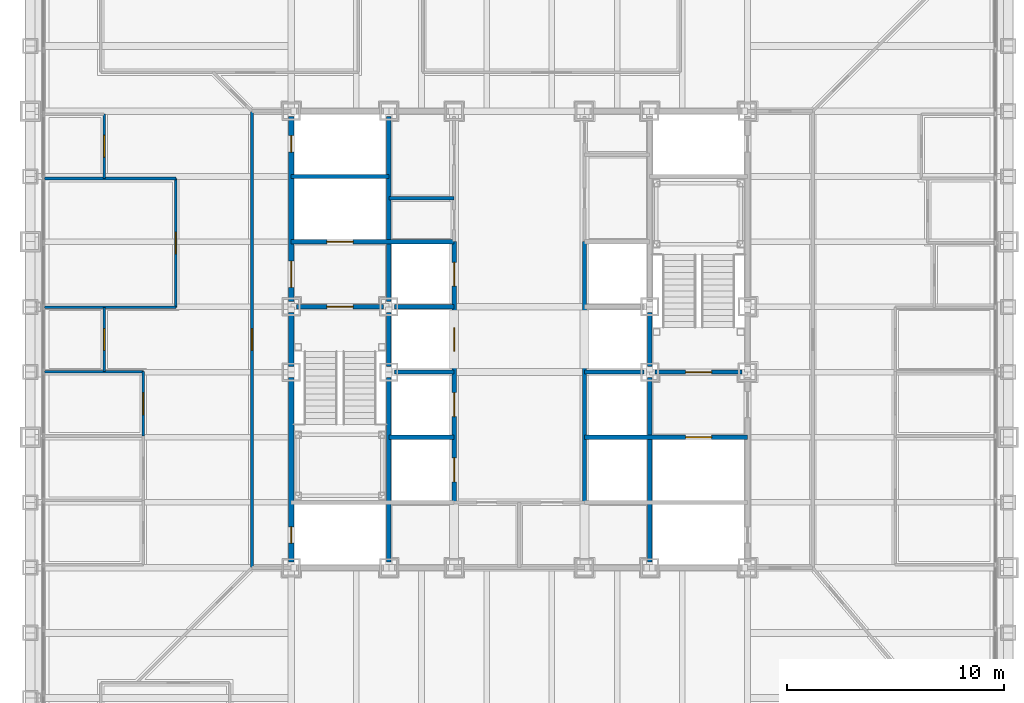
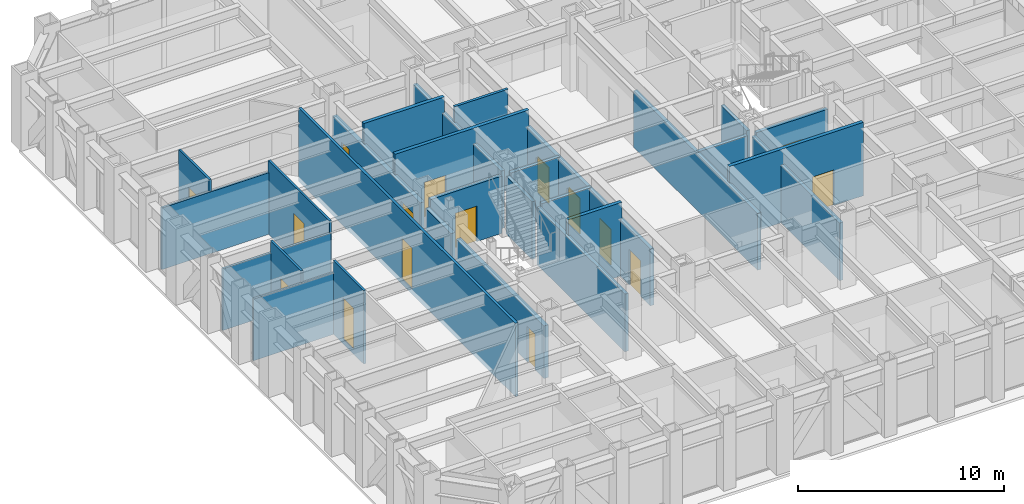
# One storey, part 9 of 16: 28 walls, 16 doors, 16 openings.
"""IFC4 building model written with IfcOpenShell, lengths in metres."""

from ifc_helpers import new_model, si_unit, direction, frame, frame_2d, origin, place, context, subcontext, project, spatial, rectangle, extrude, material, layer, layer_set, type_object, element, fill, save


model = new_model("IFC4")

# Units and contexts
model_context = context("Model", 3, precision=1e-05, world=origin(), true_north=direction((0.0, 1.0)))
body_context = subcontext(model_context, "Body", "Model", "MODEL_VIEW")
ifc_project = project(units=[si_unit("LENGTHUNIT", "METRE"), si_unit("AREAUNIT", "SQUARE_METRE"), si_unit("VOLUMEUNIT", "CUBIC_METRE"), si_unit("PLANEANGLEUNIT", "RADIAN"), si_unit("MASSUNIT", "GRAM", prefix="KILO")], contexts=[model_context])

# Site, building, storey
site_placement = place(None, origin())
site = spatial("IfcSite", under=ifc_project, at=site_placement, CompositionType="ELEMENT")
building_placement = place(site_placement, origin())
building = spatial("IfcBuilding", under=site, at=building_placement, Name="Chuquiago Exchange Tower", CompositionType="ELEMENT")
storey_placement = place(building_placement, frame((0.0, 0.0, 28.800048828125)))
storey = spatial("IfcBuildingStorey", under=building, at=storey_placement, Name="L05", CompositionType="ELEMENT", Elevation=28.800048828125)

# Wall, opening, door
ifc_material_1 = material(Name="Concrete masonry, fully grouted", Category="masonry")
ifc_layer_1 = layer(ifc_material_1, 0.25)
ifc_layer_set_1 = layer_set([ifc_layer_1], Name="W1 core wall 250")
wall_type_1 = type_object("IfcWallType", Name="W1 core wall 250", PredefinedType="SOLIDWALL", material=ifc_layer_set_1)
wall_1_placement = place(storey_placement, frame((12.0, 12.25, 0.0), z_axis=(0.0, 0.0, 1.0), x_axis=(0.0, 1.0, 0.0)))
wall_1 = element("IfcWall", 1, at=wall_1_placement, inside=storey, type_object=wall_type_1, Name="CW-L05-00-0", PredefinedType="SOLIDWALL", context=body_context, shape_type="SweptSolid", body=[
    extrude(rectangle(XDim=8.5, YDim=0.25, at=frame_2d((4.25, 0.0))), origin(), (0.0, 0.0, 1.0), 3.11279296875),
])
opening_1_placement = place(wall_1_placement, frame((0.875, 0.0, 0.0)))
opening_1 = element("IfcOpeningElement", 2, at=opening_1_placement, cuts=wall_1, Name="Opening L05-007", PredefinedType="OPENING", context=body_context, shape_type="SweptSolid", body=[
    extrude(rectangle(XDim=0.75, YDim=2.10009765625, at=frame_2d((0.375, 1.050048828125))), frame((0.0, 0.135009765625, 0.0), z_axis=(0.0, -1.0, 0.0), x_axis=(1.0, 0.0, 0.0)), (0.0, 0.0, 1.0), 0.27001953125),
])
ifc_material_2 = material(Name="Steel door, painted", Category="steel")
door_type_1 = type_object("IfcDoorType", Name="D6 riser access door 750x2100", OperationType="SINGLE_SWING_LEFT", PredefinedType="DOOR", material=ifc_material_2)
door_1_placement = place(opening_1_placement, origin())
door_1 = element("IfcDoor", 3, at=door_1_placement, inside=storey, type_object=door_type_1, Name="Riser RW1 door", OperationType="SINGLE_SWING_LEFT", OverallHeight=2.10009765625, OverallWidth=0.75, PredefinedType="DOOR", context=body_context, shape_type="SweptSolid", body=[
    extrude(rectangle(XDim=0.75, YDim=2.10009765625, at=frame_2d((0.375, 1.050048828125))), frame((0.0, 0.02490234375, 0.0), z_axis=(0.0, -1.0, 0.0), x_axis=(1.0, 0.0, 0.0)), (0.0, 0.0, 1.0), 0.050048828125),
])
fill(opening_1, door_1)

# Wall
wall_2_placement = place(storey_placement, frame((12.0, 21.25, 0.0), z_axis=(0.0, 0.0, 1.0), x_axis=(0.0, 1.0, 0.0)))
element("IfcWall", 4, at=wall_2_placement, inside=storey, type_object=wall_type_1, Name="CW-L05-00-1", PredefinedType="SOLIDWALL", context=body_context, shape_type="SweptSolid", body=[
    extrude(rectangle(XDim=2.5, YDim=0.25, at=frame_2d((1.25, 0.0))), origin(), (0.0, 0.0, 1.0), 3.11279296875),
])

# Wall, openings, doors
wall_3_placement = place(storey_placement, frame((12.0, 24.25, 0.0), z_axis=(0.0, 0.0, 1.0), x_axis=(0.0, 1.0, 0.0)))
wall_3 = element("IfcWall", 5, at=wall_3_placement, inside=storey, type_object=wall_type_1, Name="CW-L05-00-2", PredefinedType="SOLIDWALL", context=body_context, shape_type="SweptSolid", body=[
    extrude(rectangle(XDim=8.5, YDim=0.25, at=frame_2d((4.25, 0.0))), origin(), (0.0, 0.0, 1.0), 3.11279296875),
])
opening_2_placement = place(wall_3_placement, frame((0.64990234375, 0.0, 0.0)))
opening_2 = element("IfcOpeningElement", 6, at=opening_2_placement, cuts=wall_3, Name="Opening L05-002", PredefinedType="OPENING", context=body_context, shape_type="SweptSolid", body=[
    extrude(rectangle(XDim=1.199951171875, YDim=2.10009765625, at=frame_2d((0.60009765625, 1.050048828125))), frame((0.0, 0.135009765625, 0.0), z_axis=(0.0, -1.0, 0.0), x_axis=(1.0, 0.0, 0.0)), (0.0, 0.0, 1.0), 0.27001953125),
])
opening_3_placement = place(wall_3_placement, frame((6.875, 0.0, 0.0)))
opening_3 = element("IfcOpeningElement", 7, at=opening_3_placement, cuts=wall_3, Name="Opening L05-008", PredefinedType="OPENING", context=body_context, shape_type="SweptSolid", body=[
    extrude(rectangle(XDim=0.75, YDim=2.10009765625, at=frame_2d((0.375, 1.050048828125))), frame((0.0, 0.135009765625, 0.0), z_axis=(0.0, -1.0, 0.0), x_axis=(1.0, 0.0, 0.0)), (0.0, 0.0, 1.0), 0.27001953125),
])
ifc_material_3 = material(Name="Steel door, painted", Category="steel")
door_type_2 = type_object("IfcDoorType", Name="D5 firefighting lobby door 1200x2100", OperationType="SINGLE_SWING_LEFT", PredefinedType="DOOR", material=ifc_material_3)
door_2_placement = place(opening_2_placement, frame((1.199951171875, 0.0, 0.0), z_axis=(0.0, 0.0, 1.0), x_axis=(-1.0, 0.0, 0.0)))
door_2 = element("IfcDoor", 8, at=door_2_placement, inside=storey, type_object=door_type_2, Name="Firefighting lobby 1 door", OperationType="SINGLE_SWING_RIGHT", OverallHeight=2.10009765625, OverallWidth=1.199951171875, PredefinedType="DOOR", context=body_context, shape_type="SweptSolid", body=[
    extrude(rectangle(XDim=1.199951171875, YDim=2.10009765625, at=frame_2d((0.60009765625, 1.050048828125))), frame((0.0, 0.02490234375, 0.0), z_axis=(0.0, -1.0, 0.0), x_axis=(1.0, 0.0, 0.0)), (0.0, 0.0, 1.0), 0.050048828125),
])
fill(opening_2, door_2)
door_3_placement = place(opening_3_placement, origin())
door_3 = element("IfcDoor", 9, at=door_3_placement, inside=storey, type_object=door_type_1, Name="Riser RW2 door", OperationType="SINGLE_SWING_RIGHT", OverallHeight=2.10009765625, OverallWidth=0.75, PredefinedType="DOOR", context=body_context, shape_type="SweptSolid", body=[
    extrude(rectangle(XDim=0.75, YDim=2.10009765625, at=frame_2d((0.375, 1.050048828125))), frame((0.0, 0.02490234375, 0.0), z_axis=(0.0, -1.0, 0.0), x_axis=(1.0, 0.0, 0.0)), (0.0, 0.0, 1.0), 0.050048828125),
])
fill(opening_3, door_3)

# Wall, opening, door
ifc_material_4 = material(Name="Gypsum board on steel studs, acoustic insulation", Category="steel")
ifc_layer_2 = layer(ifc_material_4, 0.14990234375)
ifc_layer_set_2 = layer_set([ifc_layer_2], Name="W11 corridor wall 150")
wall_type_2 = type_object("IfcWallType", Name="W11 corridor wall 150", PredefinedType="PARTITIONING", material=ifc_layer_set_2)
wall_4_placement = place(storey_placement, frame((10.199951171875, 12.0, -0.300048828125), z_axis=(0.0, 0.0, 1.0), x_axis=(0.0, 1.0, 0.0)))
wall_4 = element("IfcWall", 10, at=wall_4_placement, inside=storey, type_object=wall_type_2, Name="PW-L05-GW0", PredefinedType="PARTITIONING", context=body_context, shape_type="SweptSolid", body=[
    extrude(rectangle(XDim=21.0, YDim=0.14990234375, at=frame_2d((10.5, 0.0))), origin(), (0.0, 0.0, 1.0), 4.340087890625),
])
opening_4_placement = place(wall_4_placement, frame((10.0, 0.0, 0.300048828125)))
opening_4 = element("IfcOpeningElement", 11, at=opening_4_placement, cuts=wall_4, Name="Opening L05-052", PredefinedType="OPENING", context=body_context, shape_type="SweptSolid", body=[
    extrude(rectangle(XDim=1.0, YDim=2.39990234375, at=frame_2d((0.5, 1.199951171875))), frame((0.0, 0.0849609375, 0.0), z_axis=(0.0, -1.0, 0.0), x_axis=(1.0, 0.0, 0.0)), (0.0, 0.0, 1.0), 0.169921875),
])
ifc_material_5 = material(Name="Timber door, laminate faced", Category="wood")
door_type_3 = type_object("IfcDoorType", Name="D9 room door 1000x2400", OperationType="SINGLE_SWING_LEFT", PredefinedType="DOOR", material=ifc_material_5)
door_4_placement = place(opening_4_placement, origin())
door_4 = element("IfcDoor", 12, at=door_4_placement, inside=storey, type_object=door_type_3, Name="Team area door", OperationType="SINGLE_SWING_LEFT", OverallHeight=2.39990234375, OverallWidth=1.0, PredefinedType="DOOR", context=body_context, shape_type="SweptSolid", body=[
    extrude(rectangle(XDim=1.0, YDim=2.39990234375, at=frame_2d((0.5, 1.199951171875))), frame((0.0, 0.02490234375, 0.0), z_axis=(0.0, -1.0, 0.0), x_axis=(1.0, 0.0, 0.0)), (0.0, 0.0, 1.0), 0.050048828125),
])
fill(opening_4, door_4)

ifc_material_6 = material(Name="Concrete masonry, fully grouted", Category="masonry")
ifc_layer_3 = layer(ifc_material_6, 0.199951171875)
ifc_layer_set_3 = layer_set([ifc_layer_3], Name="W2 shaft wall 200")
wall_type_3 = type_object("IfcWallType", Name="W2 shaft wall 200", PredefinedType="SOLIDWALL", material=ifc_layer_set_3)
wall_5_placement = place(storey_placement, frame((12.25, 24.0, 0.0), z_axis=(0.0, 0.0, 1.0), x_axis=(1.0, 0.0, 0.0)))
wall_5 = element("IfcWall", 13, at=wall_5_placement, inside=storey, type_object=wall_type_3, Name="CW-L05-05-0", PredefinedType="SOLIDWALL", context=body_context, shape_type="SweptSolid", body=[
    extrude(rectangle(XDim=4.0, YDim=0.199951171875, at=frame_2d((2.0, 0.0))), origin(), (0.0, 0.0, 1.0), 3.389892578125),
])
opening_5_placement = place(wall_5_placement, frame((1.39990234375, 0.0, 0.0)))
opening_5 = element("IfcOpeningElement", 14, at=opening_5_placement, cuts=wall_5, Name="Opening L05-001", PredefinedType="OPENING", context=body_context, shape_type="SweptSolid", body=[
    extrude(rectangle(XDim=1.199951171875, YDim=2.10009765625, at=frame_2d((0.60009765625, 1.050048828125))), frame((0.0, 0.10986328125, 0.0), z_axis=(0.0, -1.0, 0.0), x_axis=(1.0, 0.0, 0.0)), (0.0, 0.0, 1.0), 0.219970703125),
])
ifc_material_7 = material(Name="Steel door, painted", Category="steel")
door_type_4 = type_object("IfcDoorType", Name="D4 stair door 1200x2100", OperationType="SINGLE_SWING_LEFT", PredefinedType="DOOR", material=ifc_material_7)
door_5_placement = place(opening_5_placement, frame((1.199951171875, 0.0, 0.0), z_axis=(0.0, 0.0, 1.0), x_axis=(-1.0, 0.0, 0.0)))
door_5 = element("IfcDoor", 15, at=door_5_placement, inside=storey, type_object=door_type_4, Name="Stair ST1 door", OperationType="SINGLE_SWING_RIGHT", OverallHeight=2.10009765625, OverallWidth=1.199951171875, PredefinedType="DOOR", context=body_context, shape_type="SweptSolid", body=[
    extrude(rectangle(XDim=1.199951171875, YDim=2.10009765625, at=frame_2d((0.60009765625, 1.050048828125))), frame((0.0, 0.02490234375, 0.0), z_axis=(0.0, -1.0, 0.0), x_axis=(1.0, 0.0, 0.0)), (0.0, 0.0, 1.0), 0.050048828125),
])
fill(opening_5, door_5)

# Wall
wall_6_placement = place(storey_placement, frame((16.75, 24.0, 0.0), z_axis=(0.0, 0.0, 1.0), x_axis=(1.0, 0.0, 0.0)))
element("IfcWall", 16, at=wall_6_placement, inside=storey, type_object=wall_type_3, Name="CW-L05-05-1", PredefinedType="SOLIDWALL", context=body_context, shape_type="SweptSolid", body=[
    extrude(rectangle(XDim=2.75, YDim=0.199951171875, at=frame_2d((1.375, 0.0))), origin(), (0.0, 0.0, 1.0), 3.389892578125),
])

# Wall, opening, door
wall_7_placement = place(storey_placement, frame((12.0, 27.0, 0.0), z_axis=(0.0, 0.0, 1.0), x_axis=(1.0, 0.0, 0.0)))
wall_7 = element("IfcWall", 17, at=wall_7_placement, inside=storey, type_object=wall_type_3, Name="CW-L05-07-0", PredefinedType="SOLIDWALL", context=body_context, shape_type="SweptSolid", body=[
    extrude(rectangle(XDim=7.5, YDim=0.199951171875, at=frame_2d((3.75, 0.0))), origin(), (0.0, 0.0, 1.0), 4.33984375),
])
opening_6_placement = place(wall_7_placement, frame((1.64990234375, 0.0, 0.0)))
opening_6 = element("IfcOpeningElement", 18, at=opening_6_placement, cuts=wall_7, Name="Opening L05-005", PredefinedType="OPENING", context=body_context, shape_type="SweptSolid", body=[
    extrude(rectangle(XDim=1.199951171875, YDim=2.10009765625, at=frame_2d((0.60009765625, 1.050048828125))), frame((0.0, 0.10986328125, 0.0), z_axis=(0.0, -1.0, 0.0), x_axis=(1.0, 0.0, 0.0)), (0.0, 0.0, 1.0), 0.219970703125),
])
ifc_material_8 = material(Name="Stainless steel lift landing door", Category="steel")
door_type_5 = type_object("IfcDoorType", Name="LD2 firefighting lift landing door 1200x2100", OperationType="DOUBLE_DOOR_SLIDING", PredefinedType="DOOR", material=ifc_material_8)
door_6_placement = place(opening_6_placement, origin())
door_6 = element("IfcDoor", 19, at=door_6_placement, inside=storey, type_object=door_type_5, Name="Firefighting lift FL1 landing door", OperationType="DOUBLE_DOOR_SLIDING", OverallHeight=2.10009765625, OverallWidth=1.199951171875, PredefinedType="DOOR", context=body_context, shape_type="SweptSolid", body=[
    extrude(rectangle(XDim=1.199951171875, YDim=2.10009765625, at=frame_2d((0.60009765625, 1.050048828125))), frame((0.0, 0.02490234375, 0.0), z_axis=(0.0, -1.0, 0.0), x_axis=(1.0, 0.0, 0.0)), (0.0, 0.0, 1.0), 0.050048828125),
])
fill(opening_6, door_6)

# Walls
wall_8_placement = place(storey_placement, frame((12.0, 30.0, 0.0), z_axis=(0.0, 0.0, 1.0), x_axis=(1.0, 0.0, 0.0)))
element("IfcWall", 20, at=wall_8_placement, inside=storey, type_object=wall_type_3, Name="CW-L05-09-0", PredefinedType="SOLIDWALL", context=body_context, shape_type="SweptSolid", body=[
    extrude(rectangle(XDim=4.5, YDim=0.199951171875, at=frame_2d((2.25, 0.0))), origin(), (0.0, 0.0, 1.0), 4.33984375),
])
wall_9_placement = place(storey_placement, frame((16.5, 12.25, 0.0), z_axis=(0.0, 0.0, 1.0), x_axis=(0.0, 1.0, 0.0)))
element("IfcWall", 21, at=wall_9_placement, inside=storey, type_object=wall_type_3, Name="CW-L05-13-0", PredefinedType="SOLIDWALL", context=body_context, shape_type="SweptSolid", body=[
    extrude(rectangle(XDim=8.5, YDim=0.199951171875, at=frame_2d((4.25, 0.0))), origin(), (0.0, 0.0, 1.0), 3.412841796875),
])
wall_10_placement = place(storey_placement, frame((16.5, 21.25, 0.0), z_axis=(0.0, 0.0, 1.0), x_axis=(0.0, 1.0, 0.0)))
element("IfcWall", 22, at=wall_10_placement, inside=storey, type_object=wall_type_3, Name="CW-L05-13-1", PredefinedType="SOLIDWALL", context=body_context, shape_type="SweptSolid", body=[
    extrude(rectangle(XDim=2.5, YDim=0.199951171875, at=frame_2d((1.25, 0.0))), origin(), (0.0, 0.0, 1.0), 3.412841796875),
])
wall_11_placement = place(storey_placement, frame((16.5, 24.25, 0.0), z_axis=(0.0, 0.0, 1.0), x_axis=(0.0, 1.0, 0.0)))
element("IfcWall", 23, at=wall_11_placement, inside=storey, type_object=wall_type_3, Name="CW-L05-13-2", PredefinedType="SOLIDWALL", context=body_context, shape_type="SweptSolid", body=[
    extrude(rectangle(XDim=8.5, YDim=0.199951171875, at=frame_2d((4.25, 0.0))), origin(), (0.0, 0.0, 1.0), 3.412841796875),
])
wall_12_placement = place(storey_placement, frame((16.5, 18.0, 0.0), z_axis=(0.0, 0.0, 1.0), x_axis=(1.0, 0.0, 0.0)))
element("IfcWall", 24, at=wall_12_placement, inside=storey, type_object=wall_type_3, Name="CW-L05-14-0", PredefinedType="SOLIDWALL", context=body_context, shape_type="SweptSolid", body=[
    extrude(rectangle(XDim=3.0, YDim=0.199951171875, at=frame_2d((1.5, 0.0))), origin(), (0.0, 0.0, 1.0), 4.33984375),
])

# Wall, opening, door
wall_13_placement = place(storey_placement, frame((25.5, 18.0, 0.0), z_axis=(0.0, 0.0, 1.0), x_axis=(1.0, 0.0, 0.0)))
wall_13 = element("IfcWall", 25, at=wall_13_placement, inside=storey, type_object=wall_type_3, Name="CW-L05-15-0", PredefinedType="SOLIDWALL", context=body_context, shape_type="SweptSolid", body=[
    extrude(rectangle(XDim=7.5, YDim=0.199951171875, at=frame_2d((3.75, 0.0))), origin(), (0.0, 0.0, 1.0), 4.33984375),
])
opening_7_placement = place(wall_13_placement, frame((4.64990234375, 0.0, 0.0)))
opening_7 = element("IfcOpeningElement", 26, at=opening_7_placement, cuts=wall_13, Name="Opening L05-006", PredefinedType="OPENING", context=body_context, shape_type="SweptSolid", body=[
    extrude(rectangle(XDim=1.199951171875, YDim=2.10009765625, at=frame_2d((0.60009765625, 1.050048828125))), frame((0.0, 0.10986328125, 0.0), z_axis=(0.0, -1.0, 0.0), x_axis=(1.0, 0.0, 0.0)), (0.0, 0.0, 1.0), 0.219970703125),
])
door_7_placement = place(opening_7_placement, origin())
door_7 = element("IfcDoor", 27, at=door_7_placement, inside=storey, type_object=door_type_5, Name="Firefighting lift FL2 landing door", OperationType="DOUBLE_DOOR_SLIDING", OverallHeight=2.10009765625, OverallWidth=1.199951171875, PredefinedType="DOOR", context=body_context, shape_type="SweptSolid", body=[
    extrude(rectangle(XDim=1.199951171875, YDim=2.10009765625, at=frame_2d((0.60009765625, 1.050048828125))), frame((0.0, 0.02490234375, 0.0), z_axis=(0.0, -1.0, 0.0), x_axis=(1.0, 0.0, 0.0)), (0.0, 0.0, 1.0), 0.050048828125),
])
fill(opening_7, door_7)

# Walls
for number, where, z_axis, x_axis, name in (
    (28, (16.75, 21.0, 0.0), (0.0, 0.0, 1.0), (1.0, 0.0, 0.0), "CW-L05-16-0"),
    (29, (25.5, 21.0, 0.0), (0.0, 0.0, 1.0), (1.0, 0.0, 0.0), "CW-L05-17-0"),
):
    element("IfcWall", number, at=place(storey_placement, frame(where, z_axis=z_axis, x_axis=x_axis)), inside=storey, type_object=wall_type_3, Name=name, PredefinedType="SOLIDWALL", context=body_context, shape_type="SweptSolid", body=[
        extrude(rectangle(XDim=2.75, YDim=0.199951171875, at=frame_2d((1.375, 0.0))), origin(), (0.0, 0.0, 1.0), 3.389892578125),
    ])

# Wall, opening, door
wall_14_placement = place(storey_placement, frame((28.75, 21.0, 0.0), z_axis=(0.0, 0.0, 1.0), x_axis=(1.0, 0.0, 0.0)))
wall_14 = element("IfcWall", 30, at=wall_14_placement, inside=storey, type_object=wall_type_3, Name="CW-L05-17-1", PredefinedType="SOLIDWALL", context=body_context, shape_type="SweptSolid", body=[
    extrude(rectangle(XDim=4.0, YDim=0.199951171875, at=frame_2d((2.0, 0.0))), origin(), (0.0, 0.0, 1.0), 3.389892578125),
])
opening_8_placement = place(wall_14_placement, frame((1.39990234375, 0.0, 0.0)))
opening_8 = element("IfcOpeningElement", 31, at=opening_8_placement, cuts=wall_14, Name="Opening L05-003", PredefinedType="OPENING", context=body_context, shape_type="SweptSolid", body=[
    extrude(rectangle(XDim=1.199951171875, YDim=2.10009765625, at=frame_2d((0.60009765625, 1.050048828125))), frame((0.0, 0.10986328125, 0.0), z_axis=(0.0, -1.0, 0.0), x_axis=(1.0, 0.0, 0.0)), (0.0, 0.0, 1.0), 0.219970703125),
])
door_8_placement = place(opening_8_placement, origin())
door_8 = element("IfcDoor", 32, at=door_8_placement, inside=storey, type_object=door_type_4, Name="Stair ST2 door", OperationType="SINGLE_SWING_LEFT", OverallHeight=2.10009765625, OverallWidth=1.199951171875, PredefinedType="DOOR", context=body_context, shape_type="SweptSolid", body=[
    extrude(rectangle(XDim=1.199951171875, YDim=2.10009765625, at=frame_2d((0.60009765625, 1.050048828125))), frame((0.0, 0.02490234375, 0.0), z_axis=(0.0, -1.0, 0.0), x_axis=(1.0, 0.0, 0.0)), (0.0, 0.0, 1.0), 0.050048828125),
])
fill(opening_8, door_8)

# Wall, openings, doors
wall_15_placement = place(storey_placement, frame((19.5, 15.0, 0.0), z_axis=(0.0, 0.0, 1.0), x_axis=(0.0, 1.0, 0.0)))
wall_15 = element("IfcWall", 33, at=wall_15_placement, inside=storey, type_object=wall_type_3, Name="CW-L05-19-0", PredefinedType="SOLIDWALL", context=body_context, shape_type="SweptSolid", body=[
    extrude(rectangle(XDim=12.0, YDim=0.199951171875, at=frame_2d((6.0, 0.0))), origin(), (0.0, 0.0, 1.0), 3.364501953125),
])
opening_9_placement = place(wall_15_placement, frame((0.949951171875, 0.0, 0.0)))
opening_9 = element("IfcOpeningElement", 34, at=opening_9_placement, cuts=wall_15, Name="Opening L05-017", PredefinedType="OPENING", context=body_context, shape_type="SweptSolid", body=[
    extrude(rectangle(XDim=1.10009765625, YDim=2.10009765625, at=frame_2d((0.550048828125, 1.050048828125))), frame((0.0, 0.10986328125, 0.0), z_axis=(0.0, -1.0, 0.0), x_axis=(1.0, 0.0, 0.0)), (0.0, 0.0, 1.0), 0.219970703125),
])
opening_10_placement = place(wall_15_placement, frame((3.949951171875, 0.0, 0.0)))
opening_10 = element("IfcOpeningElement", 35, at=opening_10_placement, cuts=wall_15, Name="Opening L05-018", PredefinedType="OPENING", context=body_context, shape_type="SweptSolid", body=[
    extrude(rectangle(XDim=1.10009765625, YDim=2.10009765625, at=frame_2d((0.550048828125, 1.050048828125))), frame((0.0, 0.10986328125, 0.0), z_axis=(0.0, -1.0, 0.0), x_axis=(1.0, 0.0, 0.0)), (0.0, 0.0, 1.0), 0.219970703125),
])
opening_11_placement = place(wall_15_placement, frame((6.949951171875, 0.0, 0.0)))
opening_11 = element("IfcOpeningElement", 36, at=opening_11_placement, cuts=wall_15, Name="Opening L05-019", PredefinedType="OPENING", context=body_context, shape_type="SweptSolid", body=[
    extrude(rectangle(XDim=1.10009765625, YDim=2.10009765625, at=frame_2d((0.550048828125, 1.050048828125))), frame((0.0, 0.10986328125, 0.0), z_axis=(0.0, -1.0, 0.0), x_axis=(1.0, 0.0, 0.0)), (0.0, 0.0, 1.0), 0.219970703125),
])
opening_12_placement = place(wall_15_placement, frame((9.949951171875, 0.0, 0.0)))
opening_12 = element("IfcOpeningElement", 37, at=opening_12_placement, cuts=wall_15, Name="Opening L05-020", PredefinedType="OPENING", context=body_context, shape_type="SweptSolid", body=[
    extrude(rectangle(XDim=1.10009765625, YDim=2.10009765625, at=frame_2d((0.550048828125, 1.050048828125))), frame((0.0, 0.10986328125, 0.0), z_axis=(0.0, -1.0, 0.0), x_axis=(1.0, 0.0, 0.0)), (0.0, 0.0, 1.0), 0.219970703125),
])
ifc_material_9 = material(Name="Stainless steel lift landing door", Category="steel")
door_type_6 = type_object("IfcDoorType", Name="LD1 lift landing door 1100x2100", OperationType="DOUBLE_DOOR_SLIDING", PredefinedType="DOOR", material=ifc_material_9)
door_9_placement = place(opening_9_placement, origin())
door_9 = element("IfcDoor", 38, at=door_9_placement, inside=storey, type_object=door_type_6, Name="Lift LA1 landing door", OperationType="DOUBLE_DOOR_SLIDING", OverallHeight=2.10009765625, OverallWidth=1.10009765625, PredefinedType="DOOR", context=body_context, shape_type="SweptSolid", body=[
    extrude(rectangle(XDim=1.10009765625, YDim=2.10009765625, at=frame_2d((0.550048828125, 1.050048828125))), frame((0.0, 0.02490234375, 0.0), z_axis=(0.0, -1.0, 0.0), x_axis=(1.0, 0.0, 0.0)), (0.0, 0.0, 1.0), 0.050048828125),
])
fill(opening_9, door_9)
door_10_placement = place(opening_10_placement, origin())
door_10 = element("IfcDoor", 39, at=door_10_placement, inside=storey, type_object=door_type_6, Name="Lift LA2 landing door", OperationType="DOUBLE_DOOR_SLIDING", OverallHeight=2.10009765625, OverallWidth=1.10009765625, PredefinedType="DOOR", context=body_context, shape_type="SweptSolid", body=[
    extrude(rectangle(XDim=1.10009765625, YDim=2.10009765625, at=frame_2d((0.550048828125, 1.050048828125))), frame((0.0, 0.02490234375, 0.0), z_axis=(0.0, -1.0, 0.0), x_axis=(1.0, 0.0, 0.0)), (0.0, 0.0, 1.0), 0.050048828125),
])
fill(opening_10, door_10)
door_11_placement = place(opening_11_placement, origin())
door_11 = element("IfcDoor", 40, at=door_11_placement, inside=storey, type_object=door_type_6, Name="Lift LA3 landing door", OperationType="DOUBLE_DOOR_SLIDING", OverallHeight=2.10009765625, OverallWidth=1.10009765625, PredefinedType="DOOR", context=body_context, shape_type="SweptSolid", body=[
    extrude(rectangle(XDim=1.10009765625, YDim=2.10009765625, at=frame_2d((0.550048828125, 1.050048828125))), frame((0.0, 0.02490234375, 0.0), z_axis=(0.0, -1.0, 0.0), x_axis=(1.0, 0.0, 0.0)), (0.0, 0.0, 1.0), 0.050048828125),
])
fill(opening_11, door_11)
door_12_placement = place(opening_12_placement, origin())
door_12 = element("IfcDoor", 41, at=door_12_placement, inside=storey, type_object=door_type_6, Name="Lift LA4 landing door", OperationType="DOUBLE_DOOR_SLIDING", OverallHeight=2.10009765625, OverallWidth=1.10009765625, PredefinedType="DOOR", context=body_context, shape_type="SweptSolid", body=[
    extrude(rectangle(XDim=1.10009765625, YDim=2.10009765625, at=frame_2d((0.550048828125, 1.050048828125))), frame((0.0, 0.02490234375, 0.0), z_axis=(0.0, -1.0, 0.0), x_axis=(1.0, 0.0, 0.0)), (0.0, 0.0, 1.0), 0.050048828125),
])
fill(opening_12, door_12)

# Walls
wall_16_placement = place(storey_placement, frame((25.5, 15.0, 0.0), z_axis=(0.0, 0.0, 1.0), x_axis=(0.0, 1.0, 0.0)))
element("IfcWall", 42, at=wall_16_placement, inside=storey, type_object=wall_type_3, Name="CW-L05-22-0", PredefinedType="SOLIDWALL", context=body_context, shape_type="SweptSolid", body=[
    extrude(rectangle(XDim=12.0, YDim=0.199951171875, at=frame_2d((6.0, 0.0))), origin(), (0.0, 0.0, 1.0), 3.364501953125),
])
wall_17_placement = place(storey_placement, frame((28.5, 12.25, 0.0), z_axis=(0.0, 0.0, 1.0), x_axis=(0.0, 1.0, 0.0)))
element("IfcWall", 43, at=wall_17_placement, inside=storey, type_object=wall_type_3, Name="CW-L05-24-0", PredefinedType="SOLIDWALL", context=body_context, shape_type="SweptSolid", body=[
    extrude(rectangle(XDim=8.5, YDim=0.199951171875, at=frame_2d((4.25, 0.0))), origin(), (0.0, 0.0, 1.0), 3.412841796875),
])
wall_18_placement = place(storey_placement, frame((28.5, 21.25, 0.0), z_axis=(0.0, 0.0, 1.0), x_axis=(0.0, 1.0, 0.0)))
element("IfcWall", 44, at=wall_18_placement, inside=storey, type_object=wall_type_3, Name="CW-L05-24-1", PredefinedType="SOLIDWALL", context=body_context, shape_type="SweptSolid", body=[
    extrude(rectangle(XDim=2.5, YDim=0.199951171875, at=frame_2d((1.25, 0.0))), origin(), (0.0, 0.0, 1.0), 3.412841796875),
])
ifc_material_10 = material(Name="Gypsum board on steel studs", Category="steel")
ifc_layer_4 = layer(ifc_material_10, 0.14990234375)
ifc_layer_set_4 = layer_set([ifc_layer_4], Name="W3 core partition 150")
wall_type_4 = type_object("IfcWallType", Name="W3 core partition 150", PredefinedType="PARTITIONING", material=ifc_layer_set_4)
wall_19_placement = place(storey_placement, frame((16.5, 29.0, 0.0), z_axis=(0.0, 0.0, 1.0), x_axis=(1.0, 0.0, 0.0)))
element("IfcWall", 45, at=wall_19_placement, inside=storey, type_object=wall_type_4, Name="CW-L05-WCMS", PredefinedType="PARTITIONING", context=body_context, shape_type="SweptSolid", body=[
    extrude(rectangle(XDim=3.0, YDim=0.14990234375, at=frame_2d((1.5, 0.0))), origin(), (0.0, 0.0, 1.0), 4.33984375),
])
ifc_material_11 = material(Name="Gypsum board on steel studs", Category="steel")
ifc_layer_5 = layer(ifc_material_11, 0.1201171875)
ifc_layer_set_5 = layer_set([ifc_layer_5], Name="W4 partition 120")
wall_type_5 = type_object("IfcWallType", Name="W4 partition 120", PredefinedType="PARTITIONING", material=ifc_layer_set_5)
wall_20_placement = place(storey_placement, frame((0.657470703125, 21.01904296875, -0.300048828125), z_axis=(0.0, 0.0, 1.0), x_axis=(1.0, 0.0, 0.0)))
element("IfcWall", 46, at=wall_20_placement, inside=storey, type_object=wall_type_5, Name="PW-L05-W02102", PredefinedType="PARTITIONING", context=body_context, shape_type="SweptSolid", body=[
    extrude(rectangle(XDim=4.54248046875, YDim=0.1201171875, at=frame_2d((2.271240234375, 0.0))), origin(), (0.0, 0.0, 1.0), 3.646484375),
])
for number, where, z_axis, x_axis, name in (
    (47, (0.657470703125, 23.98095703125, -0.300048828125), (0.0, 0.0, 1.0), (1.0, 0.0, 0.0), "PW-L05-W02398"),
    (48, (0.657470703125, 29.904296875, -0.300048828125), (0.0, 0.0, 1.0), (1.0, 0.0, 0.0), "PW-L05-W02990"),
):
    element("IfcWall", number, at=place(storey_placement, frame(where, z_axis=z_axis, x_axis=x_axis)), inside=storey, type_object=wall_type_5, Name=name, PredefinedType="PARTITIONING", context=body_context, shape_type="SweptSolid", body=[
        extrude(rectangle(XDim=6.04248046875, YDim=0.1201171875, at=frame_2d((3.021240234375, 0.0))), origin(), (0.0, 0.0, 1.0), 3.646484375),
    ])

# Wall, opening, door
wall_21_placement = place(storey_placement, frame((5.199951171875, 18.057373046875, -0.300048828125), z_axis=(0.0, 0.0, 1.0), x_axis=(0.0, 1.0, 0.0)))
wall_21 = element("IfcWall", 49, at=wall_21_placement, inside=storey, type_object=wall_type_5, Name="PW-L05-WF01806", PredefinedType="PARTITIONING", context=body_context, shape_type="SweptSolid", body=[
    extrude(rectangle(XDim=2.961669921875, YDim=0.1201171875, at=frame_2d((1.48095703125, 0.0))), origin(), (0.0, 0.0, 1.0), 4.340087890625),
])
opening_13_placement = place(wall_21_placement, frame((0.98095703125, 0.0, 0.300048828125)))
opening_13 = element("IfcOpeningElement", 50, at=opening_13_placement, cuts=wall_21, Name="Opening L05-048", PredefinedType="OPENING", context=body_context, shape_type="SweptSolid", body=[
    extrude(rectangle(XDim=1.0, YDim=2.39990234375, at=frame_2d((0.5, 1.199951171875))), frame((0.0, 0.070068359375, 0.0), z_axis=(0.0, -1.0, 0.0), x_axis=(1.0, 0.0, 0.0)), (0.0, 0.0, 1.0), 0.14013671875),
])
door_13_placement = place(opening_13_placement, origin())
door_13 = element("IfcDoor", 51, at=door_13_placement, inside=storey, type_object=door_type_3, Name="Office door", OperationType="SINGLE_SWING_RIGHT", OverallHeight=2.39990234375, OverallWidth=1.0, PredefinedType="DOOR", context=body_context, shape_type="SweptSolid", body=[
    extrude(rectangle(XDim=1.0, YDim=2.39990234375, at=frame_2d((0.5, 1.199951171875))), frame((0.0, 0.02490234375, 0.0), z_axis=(0.0, -1.0, 0.0), x_axis=(1.0, 0.0, 0.0)), (0.0, 0.0, 1.0), 0.050048828125),
])
fill(opening_13, door_13)

wall_22_placement = place(storey_placement, frame((3.39990234375, 21.01904296875, -0.300048828125), z_axis=(0.0, 0.0, 1.0), x_axis=(0.0, 1.0, 0.0)))
wall_22 = element("IfcWall", 52, at=wall_22_placement, inside=storey, type_object=wall_type_5, Name="PW-L05-WF02102", PredefinedType="PARTITIONING", context=body_context, shape_type="SweptSolid", body=[
    extrude(rectangle(XDim=2.9619140625, YDim=0.1201171875, at=frame_2d((1.48095703125, 0.0))), origin(), (0.0, 0.0, 1.0), 4.340087890625),
])
opening_14_placement = place(wall_22_placement, frame((0.98095703125, 0.0, 0.300048828125)))
opening_14 = element("IfcOpeningElement", 53, at=opening_14_placement, cuts=wall_22, Name="Opening L05-049", PredefinedType="OPENING", context=body_context, shape_type="SweptSolid", body=[
    extrude(rectangle(XDim=1.0, YDim=2.39990234375, at=frame_2d((0.5, 1.199951171875))), frame((0.0, 0.070068359375, 0.0), z_axis=(0.0, -1.0, 0.0), x_axis=(1.0, 0.0, 0.0)), (0.0, 0.0, 1.0), 0.14013671875),
])
ifc_material_12 = material(Name="Timber frame door, full height glazed panel", Category="wood")
door_type_7 = type_object("IfcDoorType", Name="D14 glazed meeting room door 1000x2400", OperationType="SINGLE_SWING_LEFT", PredefinedType="DOOR", material=ifc_material_12)
door_14_placement = place(opening_14_placement, origin())
door_14 = element("IfcDoor", 54, at=door_14_placement, inside=storey, type_object=door_type_7, Name="Focus room door", OperationType="SINGLE_SWING_RIGHT", OverallHeight=2.39990234375, OverallWidth=1.0, PredefinedType="DOOR", context=body_context, shape_type="SweptSolid", body=[
    extrude(rectangle(XDim=1.0, YDim=2.39990234375, at=frame_2d((0.5, 1.199951171875))), frame((0.0, 0.02490234375, 0.0), z_axis=(0.0, -1.0, 0.0), x_axis=(1.0, 0.0, 0.0)), (0.0, 0.0, 1.0), 0.050048828125),
])
fill(opening_14, door_14)

wall_23_placement = place(storey_placement, frame((6.699951171875, 23.98095703125, -0.300048828125), z_axis=(0.0, 0.0, 1.0), x_axis=(0.0, 1.0, 0.0)))
wall_23 = element("IfcWall", 55, at=wall_23_placement, inside=storey, type_object=wall_type_5, Name="PW-L05-WF02398", PredefinedType="PARTITIONING", context=body_context, shape_type="SweptSolid", body=[
    extrude(rectangle(XDim=5.92333984375, YDim=0.1201171875, at=frame_2d((2.961669921875, 0.0))), origin(), (0.0, 0.0, 1.0), 4.340087890625),
])
opening_15_placement = place(wall_23_placement, frame((2.4619140625, 0.0, 0.300048828125)))
opening_15 = element("IfcOpeningElement", 56, at=opening_15_placement, cuts=wall_23, Name="Opening L05-050", PredefinedType="OPENING", context=body_context, shape_type="SweptSolid", body=[
    extrude(rectangle(XDim=1.0, YDim=2.39990234375, at=frame_2d((0.5, 1.199951171875))), frame((0.0, 0.070068359375, 0.0), z_axis=(0.0, -1.0, 0.0), x_axis=(1.0, 0.0, 0.0)), (0.0, 0.0, 1.0), 0.14013671875),
])
door_15_placement = place(opening_15_placement, origin())
door_15 = element("IfcDoor", 57, at=door_15_placement, inside=storey, type_object=door_type_3, Name="Risk management office door", OperationType="SINGLE_SWING_RIGHT", OverallHeight=2.39990234375, OverallWidth=1.0, PredefinedType="DOOR", context=body_context, shape_type="SweptSolid", body=[
    extrude(rectangle(XDim=1.0, YDim=2.39990234375, at=frame_2d((0.5, 1.199951171875))), frame((0.0, 0.02490234375, 0.0), z_axis=(0.0, -1.0, 0.0), x_axis=(1.0, 0.0, 0.0)), (0.0, 0.0, 1.0), 0.050048828125),
])
fill(opening_15, door_15)

wall_24_placement = place(storey_placement, frame((3.39990234375, 29.904296875, -0.300048828125), z_axis=(0.0, 0.0, 1.0), x_axis=(0.0, 1.0, 0.0)))
wall_24 = element("IfcWall", 58, at=wall_24_placement, inside=storey, type_object=wall_type_5, Name="PW-L05-WF02990", PredefinedType="PARTITIONING", context=body_context, shape_type="SweptSolid", body=[
    extrude(rectangle(XDim=2.9619140625, YDim=0.1201171875, at=frame_2d((1.48095703125, 0.0))), origin(), (0.0, 0.0, 1.0), 4.340087890625),
])
opening_16_placement = place(wall_24_placement, frame((0.98095703125, 0.0, 0.300048828125)))
opening_16 = element("IfcOpeningElement", 59, at=opening_16_placement, cuts=wall_24, Name="Opening L05-051", PredefinedType="OPENING", context=body_context, shape_type="SweptSolid", body=[
    extrude(rectangle(XDim=1.0, YDim=2.39990234375, at=frame_2d((0.5, 1.199951171875))), frame((0.0, 0.070068359375, 0.0), z_axis=(0.0, -1.0, 0.0), x_axis=(1.0, 0.0, 0.0)), (0.0, 0.0, 1.0), 0.14013671875),
])
door_16_placement = place(opening_16_placement, origin())
door_16 = element("IfcDoor", 60, at=door_16_placement, inside=storey, type_object=door_type_7, Name="Focus room door", OperationType="SINGLE_SWING_LEFT", OverallHeight=2.39990234375, OverallWidth=1.0, PredefinedType="DOOR", context=body_context, shape_type="SweptSolid", body=[
    extrude(rectangle(XDim=1.0, YDim=2.39990234375, at=frame_2d((0.5, 1.199951171875))), frame((0.0, 0.02490234375, 0.0), z_axis=(0.0, -1.0, 0.0), x_axis=(1.0, 0.0, 0.0)), (0.0, 0.0, 1.0), 0.050048828125),
])
fill(opening_16, door_16)

save(model, "model.ifc")
